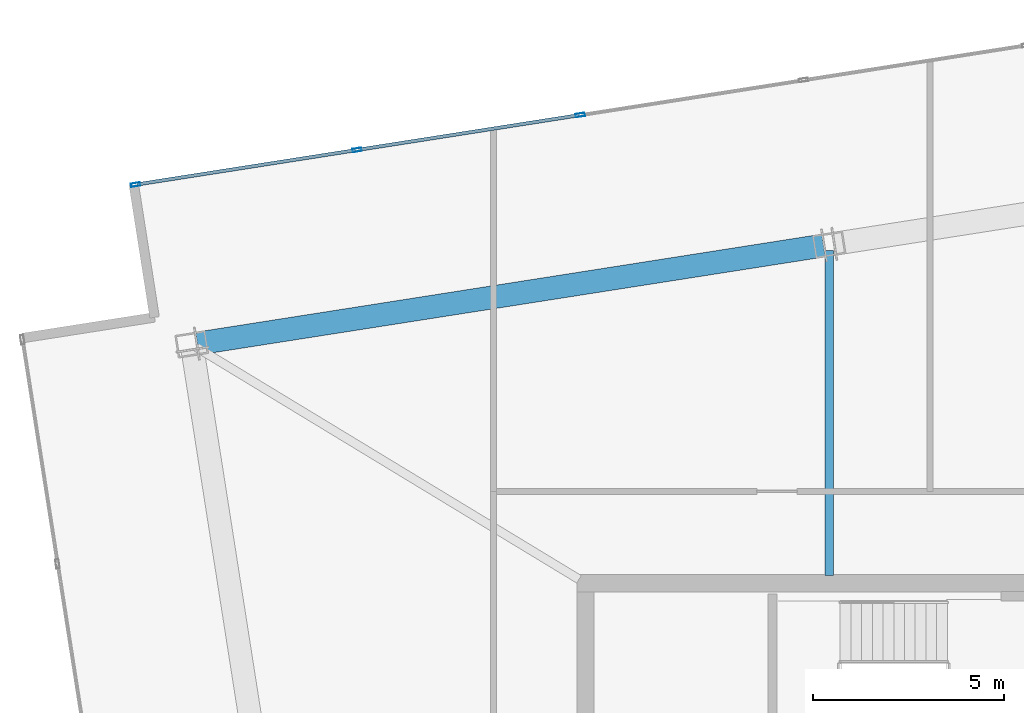
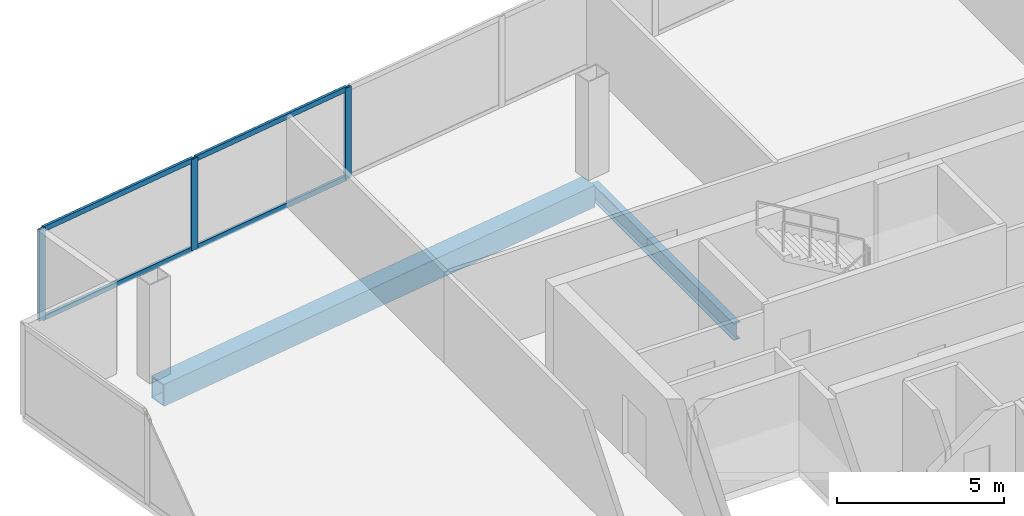
# One storey, part 10 of 17: 7 members, 2 beams, 1 element without a shape of its own.
"""IFC4 building model written with IfcOpenShell, lengths in metres."""

from ifc_helpers import new_model, si_unit, direction, frame, origin, origin_2d, place, context, subcontext, project, spatial, hollow_rectangle, i_section, extrude, material, material_profile, profile_set, type_object, element, aggregate, save


model = new_model("IFC4")

# Units and contexts
model_context = context("Model", 3, precision=1e-05, world=origin(), true_north=direction((0.0, 1.0)))
body_context = subcontext(model_context, "Body", "Model", "MODEL_VIEW")
ifc_project = project(units=[si_unit("LENGTHUNIT", "METRE"), si_unit("AREAUNIT", "SQUARE_METRE"), si_unit("VOLUMEUNIT", "CUBIC_METRE"), si_unit("PLANEANGLEUNIT", "RADIAN"), si_unit("MASSUNIT", "GRAM", prefix="KILO")], contexts=[model_context])

# Site, building, storey
site_placement = place(None, origin())
site = spatial("IfcSite", under=ifc_project, at=site_placement, CompositionType="ELEMENT")
building_placement = place(site_placement, origin())
building = spatial("IfcBuilding", under=site, at=building_placement, Name="Haldenkirk Collegiate Tower", CompositionType="ELEMENT")
storey_placement = place(building_placement, frame((0.0, 0.0, 367.800048828125)))
storey = spatial("IfcBuildingStorey", under=building, at=storey_placement, Name="L93", CompositionType="ELEMENT", Elevation=367.800048828125)

# Beams
ifc_material_1 = material(Name="Steel ASTM A992 Grade 50", Category="steel")
ifc_material_profile_1 = material_profile(ifc_material_1, i_section(OverallWidth=0.22998046875, OverallDepth=0.616943359375, WebThickness=0.01318359375, FlangeThickness=0.022216796875, at=origin_2d()), Name="W24X94")
ifc_profile_set_1 = profile_set([ifc_material_profile_1], Name="Steel ASTM A992 Grade 50")
beam_type_1 = type_object("IfcBeamType", Name="BM-GIRDER-W24X94", PredefinedType="BEAM", material=ifc_profile_set_1)
beam_1_placement = place(storey_placement, frame((33.3623046875, 42.694580078125, -0.57861328125), z_axis=(0.0, -1.0, 0.0), x_axis=(1.0, 0.0, 0.0)))
element("IfcBeam", 1, at=beam_1_placement, inside=storey, type_object=beam_type_1, Name="L93 crown radial floor beam 4", PredefinedType="BEAM", context=body_context, shape_type="SweptSolid", body=[
    extrude(i_section(OverallWidth=0.22998046875, OverallDepth=0.616943359375, WebThickness=0.01318359375, FlangeThickness=0.022216796875, at=origin_2d()), origin(), (0.0, 0.0, 1.0), 8.49462890625),
])
ifc_material_2 = material(Name="Steel ASTM A572 Grade 50", Category="steel")
ifc_material_profile_2 = material_profile(ifc_material_2, hollow_rectangle(XDim=0.60009765625, YDim=0.800048828125, WallThickness=0.0400390625, at=origin_2d()), Name="BOX800X600X40")
ifc_profile_set_2 = profile_set([ifc_material_profile_2], Name="Steel ASTM A572 Grade 50")
beam_type_2 = type_object("IfcBeamType", Name="BM-SPANDREL-BOX800X600X40", PredefinedType="SPANDREL", material=ifc_profile_set_2)
beam_2_placement = place(storey_placement, frame((33.214111328125, 42.821533203125, -0.670166015625), z_axis=(-0.987959171117, -0.154714822192, 0.0), x_axis=(0.154714822192, -0.987959171117, 0.0)))
element("IfcBeam", 2, at=beam_2_placement, inside=storey, type_object=beam_type_2, Name="L93 Crown Ring Frame perimeter girder 4", PredefinedType="SPANDREL", context=body_context, shape_type="SweptSolid", body=[
    extrude(hollow_rectangle(XDim=0.60009765625, YDim=0.800048828125, WallThickness=0.0400390625, at=origin_2d()), origin(), (0.0, 0.0, 1.0), 16.550048828125),
])

# Curtain wall, members
ifc_material_3 = material(Name="Anodised architectural bronze aluminium", Category="aluminium")
curtain_wall_type = type_object("IfcCurtainWallType", Name="CW-SYS6-CROWN", PredefinedType="USERDEFINED", material=ifc_material_3)
curtain_wall_placement = place(storey_placement, origin())
curtain_wall = element("IfcCurtainWall", 3, at=curtain_wall_placement, inside=storey, type_object=curtain_wall_type, Name="L93 Closed crown ring ceramic-fritted bronze screen curtain wall", ObjectType="UNITISED CURTAIN WALL", PredefinedType="USERDEFINED")
ifc_material_profile_3 = material_profile(ifc_material_3, hollow_rectangle(XDim=0.090087890625, YDim=0.239990234375, WallThickness=0.0048828125, at=origin_2d()), Name="CW-MUL-06")
ifc_profile_set_3 = profile_set([ifc_material_profile_3], Name="Anodised architectural bronze aluminium")
member_type_1 = type_object("IfcMemberType", Name="CW-MUL-06", PredefinedType="MULLION", material=ifc_profile_set_3)
member_1_placement = place(storey_placement, frame((15.246826171875, 44.410888671875, 0.0), z_axis=(0.0, 0.0, 1.0), x_axis=(-0.154708982189, 0.987960085646, 0.0)))
member_1 = element("IfcMember", 4, at=member_1_placement, type_object=member_type_1, Name="CW-06 mullion 1", PredefinedType="MULLION", context=body_context, shape_type="SweptSolid", body=[
    extrude(hollow_rectangle(XDim=0.090087890625, YDim=0.239990234375, WallThickness=0.0048828125, at=origin_2d()), origin(), (0.0, 0.0, 1.0), 3.329833984375),
])
member_2_placement = place(storey_placement, frame((21.03125, 45.31689453125, 0.0), z_axis=(0.0, 0.0, 1.0), x_axis=(-0.154708982189, 0.987960085646, 0.0)))
member_2 = element("IfcMember", 5, at=member_2_placement, type_object=member_type_1, Name="CW-06 mullion 2", PredefinedType="MULLION", context=body_context, shape_type="SweptSolid", body=[
    extrude(hollow_rectangle(XDim=0.090087890625, YDim=0.239990234375, WallThickness=0.0048828125, at=origin_2d()), origin(), (0.0, 0.0, 1.0), 3.329833984375),
])
member_3_placement = place(storey_placement, frame((26.8603515625, 46.2294921875, 0.0), z_axis=(0.0, 0.0, 1.0), x_axis=(-0.154708982189, 0.987960085646, 0.0)))
member_3 = element("IfcMember", 6, at=member_3_placement, type_object=member_type_1, Name="CW-06 mullion 3", PredefinedType="MULLION", context=body_context, shape_type="SweptSolid", body=[
    extrude(hollow_rectangle(XDim=0.090087890625, YDim=0.239990234375, WallThickness=0.0048828125, at=origin_2d()), origin(), (0.0, 0.0, 1.0), 3.329833984375),
])
ifc_material_profile_4 = material_profile(ifc_material_3, hollow_rectangle(XDim=0.090087890625, YDim=0.18994140625, WallThickness=0.0048828125, at=origin_2d()), Name="CW-TRN-06")
ifc_profile_set_4 = profile_set([ifc_material_profile_4], Name="Anodised architectural bronze aluminium")
member_type_2 = type_object("IfcMemberType", Name="CW-TRN-06", PredefinedType="USERDEFINED", material=ifc_profile_set_4)
member_4_placement = place(storey_placement, frame((15.291259765625, 44.41796875, 0.044921875), z_axis=(0.987961315074, 0.154701130951, 0.0), x_axis=(-0.154701130951, 0.987961315074, 0.0)))
member_4 = element("IfcMember", 7, at=member_4_placement, type_object=member_type_2, Name="CW-06 transom 1.1", ObjectType="TRANSOM", PredefinedType="USERDEFINED", context=body_context, shape_type="SweptSolid", body=[
    extrude(hollow_rectangle(XDim=0.090087890625, YDim=0.18994140625, WallThickness=0.0048828125, at=origin_2d()), origin(), (0.0, 0.0, 1.0), 5.764892578125),
])
member_5_placement = place(storey_placement, frame((15.291259765625, 44.41796875, 3.284912109375), z_axis=(0.987961315074, 0.154701130951, 0.0), x_axis=(-0.154701130951, 0.987961315074, 0.0)))
member_5 = element("IfcMember", 8, at=member_5_placement, type_object=member_type_2, Name="CW-06 transom 1.2", ObjectType="TRANSOM", PredefinedType="USERDEFINED", context=body_context, shape_type="SweptSolid", body=[
    extrude(hollow_rectangle(XDim=0.090087890625, YDim=0.18994140625, WallThickness=0.0048828125, at=origin_2d()), origin(), (0.0, 0.0, 1.0), 5.764892578125),
])
member_6_placement = place(storey_placement, frame((21.07568359375, 45.32373046875, 0.044921875), z_axis=(0.987958095237, 0.154721692257, 0.0), x_axis=(-0.154721692257, 0.987958095237, 0.0)))
member_6 = element("IfcMember", 9, at=member_6_placement, type_object=member_type_2, Name="CW-06 transom 2.1", ObjectType="TRANSOM", PredefinedType="USERDEFINED", context=body_context, shape_type="SweptSolid", body=[
    extrude(hollow_rectangle(XDim=0.090087890625, YDim=0.18994140625, WallThickness=0.0048828125, at=origin_2d()), origin(), (0.0, 0.0, 1.0), 5.81005859375),
])
member_7_placement = place(storey_placement, frame((21.07568359375, 45.32373046875, 3.284912109375), z_axis=(0.987958095237, 0.154721692257, 0.0), x_axis=(-0.154721692257, 0.987958095237, 0.0)))
member_7 = element("IfcMember", 10, at=member_7_placement, type_object=member_type_2, Name="CW-06 transom 2.2", ObjectType="TRANSOM", PredefinedType="USERDEFINED", context=body_context, shape_type="SweptSolid", body=[
    extrude(hollow_rectangle(XDim=0.090087890625, YDim=0.18994140625, WallThickness=0.0048828125, at=origin_2d()), origin(), (0.0, 0.0, 1.0), 5.81005859375),
])
aggregate(curtain_wall, [member_1, member_2, member_3, member_4, member_5, member_6, member_7])

save(model, "model.ifc")
